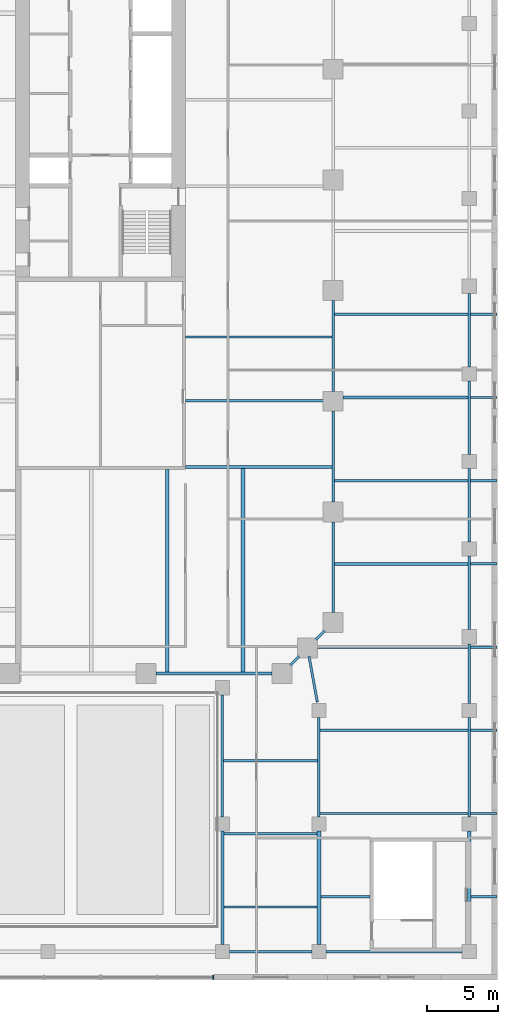
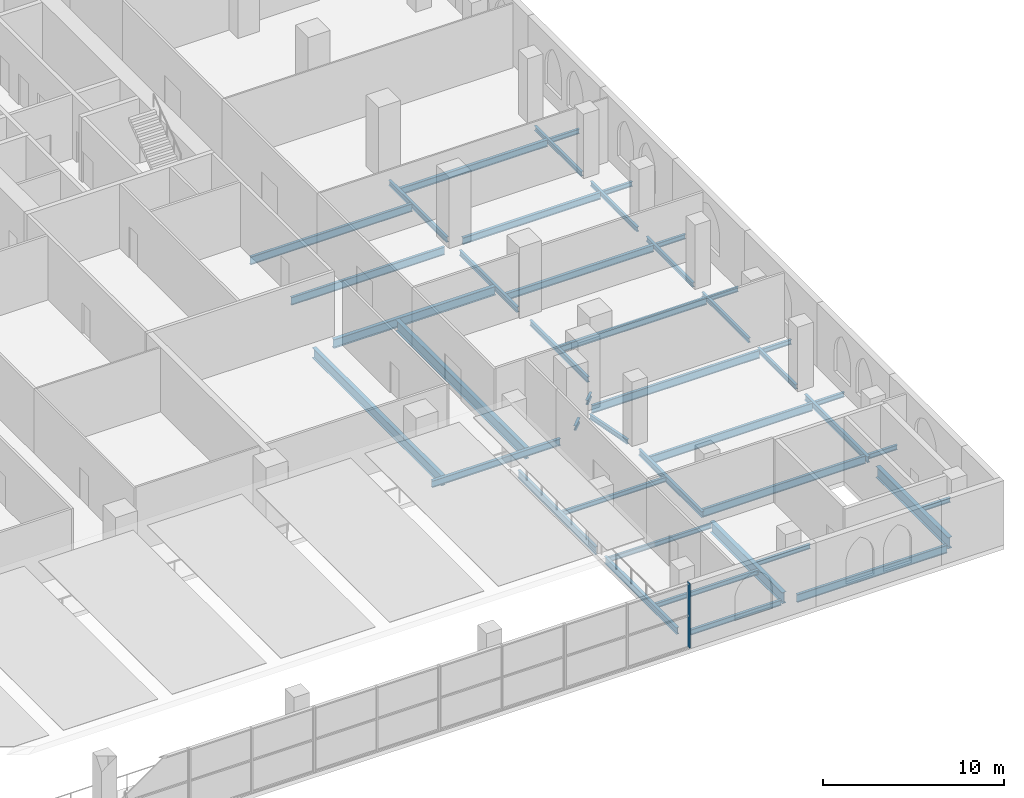
# One storey, part 5 of 18: 44 beams, 1 member, 1 element without a shape of its own.
"""IFC4 building model written with IfcOpenShell, lengths in metres."""

from ifc_helpers import new_model, si_unit, direction, frame, origin, origin_2d, place, context, subcontext, project, spatial, rectangle, i_section, extrude, material, material_profile, profile_set, type_object, element, aggregate, save


model = new_model("IFC4")

# Units and contexts
model_context = context("Model", 3, precision=1e-05, world=origin(), true_north=direction((0.0, 1.0)))
body_context = subcontext(model_context, "Body", "Model", "MODEL_VIEW")
ifc_project = project(units=[si_unit("LENGTHUNIT", "METRE"), si_unit("AREAUNIT", "SQUARE_METRE"), si_unit("VOLUMEUNIT", "CUBIC_METRE"), si_unit("PLANEANGLEUNIT", "RADIAN"), si_unit("MASSUNIT", "GRAM", prefix="KILO")], contexts=[model_context])

# Site, building, storey
site_placement = place(None, origin())
site = spatial("IfcSite", under=ifc_project, at=site_placement, CompositionType="ELEMENT")
building_placement = place(site_placement, origin())
building = spatial("IfcBuilding", under=site, at=building_placement, Name="Ogive Exchange Tower", CompositionType="ELEMENT")
storey_placement = place(building_placement, frame((0.0, 0.0, 28.800048828125)))
storey = spatial("IfcBuildingStorey", under=building, at=storey_placement, Name="L05", CompositionType="ELEMENT", Elevation=28.800048828125)

# Beams
ifc_material_1 = material(Name="Steel ASTM A992 Gr50", Category="steel")
ifc_material_profile_1 = material_profile(ifc_material_1, i_section(OverallWidth=0.1650390625, OverallDepth=0.31005859375, WebThickness=0.005859375, FlangeThickness=0.009765625, at=origin_2d()), Name="W310x38.7")
ifc_profile_set_1 = profile_set([ifc_material_profile_1], Name="Steel ASTM A992 Gr50")
beam_type_1 = type_object("IfcBeamType", Name="Floor beam W310x38.7", PredefinedType="JOIST", material=ifc_profile_set_1)
beam_1_placement = place(storey_placement, frame((31.533447265625, -46.13330078125, -0.455078125), z_axis=(1.0, 0.0, 0.0), x_axis=(0.0, 1.0, 0.0)))
element("IfcBeam", 1, at=beam_1_placement, inside=storey, type_object=beam_type_1, Name="Floor beam", PredefinedType="JOIST", context=body_context, shape_type="SweptSolid", body=[
    extrude(i_section(OverallWidth=0.1650390625, OverallDepth=0.31005859375, WebThickness=0.005859375, FlangeThickness=0.009765625, at=origin_2d()), origin(), (0.0, 0.0, 1.0), 3.466552734375),
])
beam_2_placement = place(storey_placement, frame((42.133544921875, -46.13330078125, -0.455078125), z_axis=(1.0, 0.0, 0.0), x_axis=(0.0, 1.0, 0.0)))
element("IfcBeam", 2, at=beam_2_placement, inside=storey, type_object=beam_type_1, Name="Floor beam", PredefinedType="JOIST", context=body_context, shape_type="SweptSolid", body=[
    extrude(i_section(OverallWidth=0.1650390625, OverallDepth=0.31005859375, WebThickness=0.005859375, FlangeThickness=0.009765625, at=origin_2d()), origin(), (0.0, 0.0, 1.0), 1.81640625),
])
for number, where, z_axis, x_axis, name in (
    (3, (42.089111328125, -40.2666015625, -0.455078125), (1.0, 0.0, 0.0), (0.0, 1.0, 0.0), "Floor beam"),
    (4, (42.089111328125, -34.39990234375, -0.455078125), (1.0, 0.0, 0.0), (0.0, 1.0, 0.0), "Floor beam"),
):
    element("IfcBeam", number, at=place(storey_placement, frame(where, z_axis=z_axis, x_axis=x_axis)), inside=storey, type_object=beam_type_1, Name=name, PredefinedType="JOIST", context=body_context, shape_type="SweptSolid", body=[
        extrude(i_section(OverallWidth=0.1650390625, OverallDepth=0.31005859375, WebThickness=0.005859375, FlangeThickness=0.009765625, at=origin_2d()), origin(), (0.0, 0.0, 1.0), 1.86083984375),
    ])
for number, where, z_axis, x_axis, name in (
    (5, (42.08251953125, -28.533203125, -0.455078125), (1.0, 0.0, 0.0), (0.0, 1.0, 0.0), "Floor beam"),
    (6, (42.08251953125, -22.666748046875, -0.455078125), (1.0, 0.0, 0.0), (0.0, 1.0, 0.0), "Floor beam"),
    (7, (42.08251953125, -16.800048828125, -0.455078125), (1.0, 0.0, 0.0), (0.0, 1.0, 0.0), "Floor beam"),
    (8, (42.08251953125, -10.933349609375, -0.455078125), (1.0, 0.0, 0.0), (0.0, 1.0, 0.0), "Floor beam"),
    (9, (42.08251953125, -5.066650390625, -0.455078125), (1.0, 0.0, 0.0), (0.0, 1.0, 0.0), "Floor beam"),
):
    element("IfcBeam", number, at=place(storey_placement, frame(where, z_axis=z_axis, x_axis=x_axis)), inside=storey, type_object=beam_type_1, Name=name, PredefinedType="JOIST", context=body_context, shape_type="SweptSolid", body=[
        extrude(i_section(OverallWidth=0.1650390625, OverallDepth=0.31005859375, WebThickness=0.005859375, FlangeThickness=0.009765625, at=origin_2d()), origin(), (0.0, 0.0, 1.0), 1.867431640625),
    ])
for number, where, z_axis, x_axis, name in (
    (10, (24.695556640625, -46.85009765625, -0.455078125), (1.0, 0.0, 0.0), (0.0, 1.0, 0.0), "Floor beam"),
    (11, (24.695556640625, -41.699951171875, -0.455078125), (1.0, 0.0, 0.0), (0.0, 1.0, 0.0), "Floor beam"),
):
    element("IfcBeam", number, at=place(storey_placement, frame(where, z_axis=z_axis, x_axis=x_axis)), inside=storey, type_object=beam_type_1, Name=name, PredefinedType="JOIST", context=body_context, shape_type="SweptSolid", body=[
        extrude(i_section(OverallWidth=0.1650390625, OverallDepth=0.31005859375, WebThickness=0.005859375, FlangeThickness=0.009765625, at=origin_2d()), origin(), (0.0, 0.0, 1.0), 6.571044921875),
    ])
beam_3_placement = place(storey_placement, frame((24.68359375, -36.550048828125, -0.455078125), z_axis=(1.0, 0.0, 0.0), x_axis=(0.0, 1.0, 0.0)))
element("IfcBeam", 12, at=beam_3_placement, inside=storey, type_object=beam_type_1, Name="Floor beam", PredefinedType="JOIST", context=body_context, shape_type="SweptSolid", body=[
    extrude(i_section(OverallWidth=0.1650390625, OverallDepth=0.31005859375, WebThickness=0.005859375, FlangeThickness=0.009765625, at=origin_2d()), origin(), (0.0, 0.0, 1.0), 6.62744140625),
])
ifc_material_profile_2 = material_profile(ifc_material_1, i_section(OverallWidth=0.19091796875, OverallDepth=0.45703125, WebThickness=0.009033203125, FlangeThickness=0.014404296875, at=origin_2d()), Name="W460x74")
ifc_profile_set_2 = profile_set([ifc_material_profile_2], Name="Steel ASTM A992 Gr50")
beam_type_2 = type_object("IfcBeamType", Name="Floor beam W460x74", PredefinedType="JOIST", material=ifc_profile_set_2)
for number, where, z_axis, x_axis, name in (
    (13, (32.485595703125, -22.666748046875, -0.528564453125), (1.0, 0.0, 0.0), (0.0, 1.0, 0.0), "Floor beam"),
    (14, (32.485595703125, -16.800048828125, -0.528564453125), (1.0, 0.0, 0.0), (0.0, 1.0, 0.0), "Floor beam"),
):
    element("IfcBeam", number, at=place(storey_placement, frame(where, z_axis=z_axis, x_axis=x_axis)), inside=storey, type_object=beam_type_2, Name=name, PredefinedType="JOIST", context=body_context, shape_type="SweptSolid", body=[
        extrude(i_section(OverallWidth=0.19091796875, OverallDepth=0.45703125, WebThickness=0.009033203125, FlangeThickness=0.014404296875, at=origin_2d()), origin(), (0.0, 0.0, 1.0), 9.431884765625),
    ])
beam_4_placement = place(storey_placement, frame((33.10009765625, -10.933349609375, -0.528564453125), z_axis=(1.0, 0.0, 0.0), x_axis=(0.0, 1.0, 0.0)))
element("IfcBeam", 15, at=beam_4_placement, inside=storey, type_object=beam_type_2, Name="Floor beam", PredefinedType="JOIST", context=body_context, shape_type="SweptSolid", body=[
    extrude(i_section(OverallWidth=0.19091796875, OverallDepth=0.45703125, WebThickness=0.009033203125, FlangeThickness=0.014404296875, at=origin_2d()), origin(), (0.0, 0.0, 1.0), 8.8173828125),
])
beam_5_placement = place(storey_placement, frame((32.485595703125, -5.066650390625, -0.528564453125), z_axis=(1.0, 0.0, 0.0), x_axis=(0.0, 1.0, 0.0)))
element("IfcBeam", 16, at=beam_5_placement, inside=storey, type_object=beam_type_2, Name="Floor beam", PredefinedType="JOIST", context=body_context, shape_type="SweptSolid", body=[
    extrude(i_section(OverallWidth=0.19091796875, OverallDepth=0.45703125, WebThickness=0.009033203125, FlangeThickness=0.014404296875, at=origin_2d()), origin(), (0.0, 0.0, 1.0), 9.431884765625),
])
ifc_material_profile_3 = material_profile(ifc_material_1, i_section(OverallWidth=0.1669921875, OverallDepth=0.535888671875, WebThickness=0.01025390625, FlangeThickness=0.0166015625, at=origin_2d()), Name="W530x85")
ifc_profile_set_3 = profile_set([ifc_material_profile_3], Name="Steel ASTM A992 Gr50")
beam_type_3 = type_object("IfcBeamType", Name="Floor beam W530x85", PredefinedType="JOIST", material=ifc_profile_set_3)
beam_6_placement = place(storey_placement, frame((22.0, -11.17822265625, -0.568115234375), z_axis=(1.0, 0.0, 0.0), x_axis=(0.0, 1.0, 0.0)))
element("IfcBeam", 17, at=beam_6_placement, inside=storey, type_object=beam_type_3, Name="Floor beam", PredefinedType="JOIST", context=body_context, shape_type="SweptSolid", body=[
    extrude(i_section(OverallWidth=0.1669921875, OverallDepth=0.535888671875, WebThickness=0.01025390625, FlangeThickness=0.0166015625, at=origin_2d()), origin(), (0.0, 0.0, 1.0), 9.800048828125),
])
beam_7_placement = place(storey_placement, frame((22.0, -6.666748046875, -0.568115234375), z_axis=(1.0, 0.0, 0.0), x_axis=(0.0, 1.0, 0.0)))
element("IfcBeam", 18, at=beam_7_placement, inside=storey, type_object=beam_type_3, Name="Floor beam", PredefinedType="JOIST", context=body_context, shape_type="SweptSolid", body=[
    extrude(i_section(OverallWidth=0.1669921875, OverallDepth=0.535888671875, WebThickness=0.01025390625, FlangeThickness=0.0166015625, at=origin_2d()), origin(), (0.0, 0.0, 1.0), 10.344970703125),
])
for number, where, z_axis, x_axis, name in (
    (19, (31.489013671875, -40.2666015625, -0.568115234375), (1.0, 0.0, 0.0), (0.0, 1.0, 0.0), "Floor beam"),
    (20, (31.489013671875, -34.39990234375, -0.568115234375), (1.0, 0.0, 0.0), (0.0, 1.0, 0.0), "Floor beam"),
):
    element("IfcBeam", number, at=place(storey_placement, frame(where, z_axis=z_axis, x_axis=x_axis)), inside=storey, type_object=beam_type_3, Name=name, PredefinedType="JOIST", context=body_context, shape_type="SweptSolid", body=[
        extrude(i_section(OverallWidth=0.1669921875, OverallDepth=0.535888671875, WebThickness=0.01025390625, FlangeThickness=0.0166015625, at=origin_2d()), origin(), (0.0, 0.0, 1.0), 10.421875),
    ])
beam_8_placement = place(storey_placement, frame((31.199951171875, -28.533203125, -0.568115234375), z_axis=(1.0, 0.0, 0.0), x_axis=(0.0, 1.0, 0.0)))
element("IfcBeam", 21, at=beam_8_placement, inside=storey, type_object=beam_type_3, Name="Floor beam", PredefinedType="JOIST", context=body_context, shape_type="SweptSolid", body=[
    extrude(i_section(OverallWidth=0.1669921875, OverallDepth=0.535888671875, WebThickness=0.01025390625, FlangeThickness=0.0166015625, at=origin_2d()), origin(), (0.0, 0.0, 1.0), 10.717529296875),
])
ifc_material_profile_4 = material_profile(ifc_material_1, i_section(OverallWidth=0.25390625, OverallDepth=0.68310546875, WebThickness=0.012451171875, FlangeThickness=0.018798828125, at=origin_2d()), Name="W690x140")
ifc_profile_set_4 = profile_set([ifc_material_profile_4], Name="Steel ASTM A992 Gr50")
beam_type_4 = type_object("IfcBeamType", Name="Floor beam W690x140", PredefinedType="JOIST", material=ifc_profile_set_4)
beam_9_placement = place(storey_placement, frame((20.699951171875, -30.304443359375, -0.6416015625), z_axis=(0.0, 1.0, 0.0), x_axis=(-1.0, 0.0, 0.0)))
element("IfcBeam", 22, at=beam_9_placement, inside=storey, type_object=beam_type_4, Name="Floor beam", PredefinedType="JOIST", context=body_context, shape_type="SweptSolid", body=[
    extrude(i_section(OverallWidth=0.25390625, OverallDepth=0.68310546875, WebThickness=0.012451171875, FlangeThickness=0.018798828125, at=origin_2d()), origin(), (0.0, 0.0, 1.0), 14.304443359375),
])
ifc_material_profile_5 = material_profile(ifc_material_1, i_section(OverallWidth=0.26708984375, OverallDepth=0.75390625, WebThickness=0.01318359375, FlangeThickness=0.01708984375, at=origin_2d()), Name="W760x147")
ifc_profile_set_5 = profile_set([ifc_material_profile_5], Name="Steel ASTM A992 Gr50")
beam_type_5 = type_object("IfcBeamType", Name="Floor beam W760x147", PredefinedType="JOIST", material=ifc_profile_set_5)
beam_10_placement = place(storey_placement, frame((26.050048828125, -30.304443359375, -0.677001953125), z_axis=(0.0, 1.0, 0.0), x_axis=(-1.0, 0.0, 0.0)))
element("IfcBeam", 23, at=beam_10_placement, inside=storey, type_object=beam_type_5, Name="Floor beam", PredefinedType="JOIST", context=body_context, shape_type="SweptSolid", body=[
    extrude(i_section(OverallWidth=0.26708984375, OverallDepth=0.75390625, WebThickness=0.01318359375, FlangeThickness=0.01708984375, at=origin_2d()), origin(), (0.0, 0.0, 1.0), 14.345458984375),
])

# Curtain wall, member
ifc_material_2 = material(Name="Anodised aluminium and clear glass", Category="aluminium")
curtain_wall_type = type_object("IfcCurtainWallType", Name="Galleria end wall glazing", PredefinedType="NOTDEFINED", material=ifc_material_2)
curtain_wall_placement = place(storey_placement, origin())
curtain_wall = element("IfcCurtainWall", 24, at=curtain_wall_placement, inside=storey, type_object=curtain_wall_type, Name="Galleria end wall glazing run GE9", PredefinedType="NOTDEFINED")
ifc_material_3 = material(Name="Anodised aluminium", Category="aluminium")
ifc_material_profile_6 = material_profile(ifc_material_3, rectangle(XDim=0.260009765625, YDim=0.080078125, at=origin_2d()), Name="AL 80x260")
ifc_profile_set_6 = profile_set([ifc_material_profile_6], Name="Anodised aluminium")
member_type = type_object("IfcMemberType", Name="Galleria end wall glazing mullion 80 x 260", PredefinedType="MULLION", material=ifc_profile_set_6)
member_placement = place(storey_placement, frame((23.9599609375, -51.800048828125, 0.0), z_axis=(0.0, 0.0, 1.0), x_axis=(0.0, 1.0, 0.0)))
member = element("IfcMember", 25, at=member_placement, type_object=member_type, Name="GE9 mullion 3", PredefinedType="MULLION", context=body_context, shape_type="SweptSolid", body=[
    extrude(rectangle(XDim=0.260009765625, YDim=0.080078125, at=origin_2d()), origin(), (0.0, 0.0, 1.0), 4.349853515625),
])
aggregate(curtain_wall, [member])

# Beams
ifc_material_profile_7 = material_profile(ifc_material_1, i_section(OverallWidth=0.1650390625, OverallDepth=0.31005859375, WebThickness=0.005859375, FlangeThickness=0.009765625, at=origin_2d()), Name="W310x38.7")
ifc_profile_set_7 = profile_set([ifc_material_profile_7], Name="Steel ASTM A992 Gr50")
beam_type_6 = type_object("IfcBeamType", Name="Girder W310x38.7", PredefinedType="BEAM", material=ifc_profile_set_7)
for number, where, z_axis, x_axis, name in (
    (26, (29.39404296875, -29.805908203125, -0.455078125), (0.707247821729, 0.706965712506, 0.0), (-0.706965712506, 0.707247821729, 0.0), "Girder"),
    (27, (31.194091796875, -28.006103515625, -0.455078125), (0.706965712506, 0.707247821729, 0.0), (-0.707247821729, 0.706965712506, 0.0), "Girder"),
):
    element("IfcBeam", number, at=place(storey_placement, frame(where, z_axis=z_axis, x_axis=x_axis)), inside=storey, type_object=beam_type_6, Name=name, PredefinedType="BEAM", context=body_context, shape_type="SweptSolid", body=[
        extrude(i_section(OverallWidth=0.1650390625, OverallDepth=0.31005859375, WebThickness=0.005859375, FlangeThickness=0.009765625, at=origin_2d()), origin(), (0.0, 0.0, 1.0), 0.865478515625),
    ])
beam_11_placement = place(storey_placement, frame((31.292724609375, -32.40966796875, -0.455078125), z_axis=(-0.178911700404, 0.983865134792, 0.0), x_axis=(-0.983865134792, -0.178911700404, 0.0)))
element("IfcBeam", 28, at=beam_11_placement, inside=storey, type_object=beam_type_6, Name="Girder", PredefinedType="BEAM", context=body_context, shape_type="SweptSolid", body=[
    extrude(i_section(OverallWidth=0.1650390625, OverallDepth=0.31005859375, WebThickness=0.005859375, FlangeThickness=0.009765625, at=origin_2d()), origin(), (0.0, 0.0, 1.0), 3.272216796875),
])
beam_12_placement = place(storey_placement, frame((42.0, -32.5, -0.455078125), z_axis=(0.0, 1.0, 0.0), x_axis=(-1.0, 0.0, 0.0)))
element("IfcBeam", 29, at=beam_12_placement, inside=storey, type_object=beam_type_6, Name="Girder", PredefinedType="BEAM", context=body_context, shape_type="SweptSolid", body=[
    extrude(i_section(OverallWidth=0.1650390625, OverallDepth=0.31005859375, WebThickness=0.005859375, FlangeThickness=0.009765625, at=origin_2d()), origin(), (0.0, 0.0, 1.0), 4.199951171875),
])
beam_13_placement = place(storey_placement, frame((42.0, -27.300048828125, -0.455078125), z_axis=(0.0, 1.0, 0.0), x_axis=(-1.0, 0.0, 0.0)))
element("IfcBeam", 30, at=beam_13_placement, inside=storey, type_object=beam_type_6, Name="Girder", PredefinedType="BEAM", context=body_context, shape_type="SweptSolid", body=[
    extrude(i_section(OverallWidth=0.1650390625, OverallDepth=0.31005859375, WebThickness=0.005859375, FlangeThickness=0.009765625, at=origin_2d()), origin(), (0.0, 0.0, 1.0), 5.179931640625),
])
beam_14_placement = place(storey_placement, frame((42.0, -21.1201171875, -0.455078125), z_axis=(0.0, 1.0, 0.0), x_axis=(-1.0, 0.0, 0.0)))
element("IfcBeam", 31, at=beam_14_placement, inside=storey, type_object=beam_type_6, Name="Girder", PredefinedType="BEAM", context=body_context, shape_type="SweptSolid", body=[
    extrude(i_section(OverallWidth=0.1650390625, OverallDepth=0.31005859375, WebThickness=0.005859375, FlangeThickness=0.009765625, at=origin_2d()), origin(), (0.0, 0.0, 1.0), 5.18017578125),
])
beam_15_placement = place(storey_placement, frame((42.0, -14.93994140625, -0.455078125), z_axis=(0.0, 1.0, 0.0), x_axis=(-1.0, 0.0, 0.0)))
element("IfcBeam", 32, at=beam_15_placement, inside=storey, type_object=beam_type_6, Name="Girder", PredefinedType="BEAM", context=body_context, shape_type="SweptSolid", body=[
    extrude(i_section(OverallWidth=0.1650390625, OverallDepth=0.31005859375, WebThickness=0.005859375, FlangeThickness=0.009765625, at=origin_2d()), origin(), (0.0, 0.0, 1.0), 5.169921875),
])
beam_16_placement = place(storey_placement, frame((42.0, -8.77001953125, -0.455078125), z_axis=(0.0, 1.0, 0.0), x_axis=(-1.0, 0.0, 0.0)))
element("IfcBeam", 33, at=beam_16_placement, inside=storey, type_object=beam_type_6, Name="Girder", PredefinedType="BEAM", context=body_context, shape_type="SweptSolid", body=[
    extrude(i_section(OverallWidth=0.1650390625, OverallDepth=0.31005859375, WebThickness=0.005859375, FlangeThickness=0.009765625, at=origin_2d()), origin(), (0.0, 0.0, 1.0), 5.179931640625),
])
ifc_material_profile_8 = material_profile(ifc_material_1, i_section(OverallWidth=0.1708984375, OverallDepth=0.35595703125, WebThickness=0.00732421875, FlangeThickness=0.01171875, at=origin_2d()), Name="W360x51")
ifc_profile_set_8 = profile_set([ifc_material_profile_8], Name="Steel ASTM A992 Gr50")
beam_type_7 = type_object("IfcBeamType", Name="Girder W360x51", PredefinedType="BEAM", material=ifc_profile_set_8)
for number, where, z_axis, x_axis, name in (
    (34, (32.39990234375, -26.10009765625, -0.47802734375), (0.0, 1.0, 0.0), (-1.0, 0.0, 0.0), "Girder"),
    (35, (32.39990234375, -18.300048828125, -0.47802734375), (0.0, 1.0, 0.0), (-1.0, 0.0, 0.0), "Girder"),
):
    element("IfcBeam", number, at=place(storey_placement, frame(where, z_axis=z_axis, x_axis=x_axis)), inside=storey, type_object=beam_type_7, Name=name, PredefinedType="BEAM", context=body_context, shape_type="SweptSolid", body=[
        extrude(i_section(OverallWidth=0.1708984375, OverallDepth=0.35595703125, WebThickness=0.00732421875, FlangeThickness=0.01171875, at=origin_2d()), origin(), (0.0, 0.0, 1.0), 6.400146484375),
    ])
beam_17_placement = place(storey_placement, frame((32.39990234375, -10.5, -0.47802734375), z_axis=(0.0, 1.0, 0.0), x_axis=(-1.0, 0.0, 0.0)))
element("IfcBeam", 36, at=beam_17_placement, inside=storey, type_object=beam_type_7, Name="Girder", PredefinedType="BEAM", context=body_context, shape_type="SweptSolid", body=[
    extrude(i_section(OverallWidth=0.1708984375, OverallDepth=0.35595703125, WebThickness=0.00732421875, FlangeThickness=0.01171875, at=origin_2d()), origin(), (0.0, 0.0, 1.0), 6.39990234375),
])
beam_18_placement = place(storey_placement, frame((25.10009765625, -50.0, -0.47802734375), z_axis=(1.0, 0.0, 0.0), x_axis=(0.0, 1.0, 0.0)))
element("IfcBeam", 37, at=beam_18_placement, inside=storey, type_object=beam_type_7, Name="Girder", PredefinedType="BEAM", context=body_context, shape_type="SweptSolid", body=[
    extrude(i_section(OverallWidth=0.1708984375, OverallDepth=0.35595703125, WebThickness=0.00732421875, FlangeThickness=0.01171875, at=origin_2d()), origin(), (0.0, 0.0, 1.0), 5.7998046875),
])
ifc_material_profile_9 = material_profile(ifc_material_1, i_section(OverallWidth=0.177978515625, OverallDepth=0.406005859375, WebThickness=0.0078125, FlangeThickness=0.0126953125, at=origin_2d()), Name="W410x60")
ifc_profile_set_9 = profile_set([ifc_material_profile_9], Name="Steel ASTM A992 Gr50")
beam_type_8 = type_object("IfcBeamType", Name="Girder W410x60", PredefinedType="BEAM", material=ifc_profile_set_9)
for number, where, z_axis, x_axis, name in (
    (38, (31.39990234375, -40.5, -0.5029296875), (0.0, 1.0, 0.0), (-1.0, 0.0, 0.0), "Girder"),
    (39, (42.0, -40.5, -0.5029296875), (0.0, 1.0, 0.0), (-1.0, 0.0, 0.0), "Girder"),
):
    element("IfcBeam", number, at=place(storey_placement, frame(where, z_axis=z_axis, x_axis=x_axis)), inside=storey, type_object=beam_type_8, Name=name, PredefinedType="BEAM", context=body_context, shape_type="SweptSolid", body=[
        extrude(i_section(OverallWidth=0.177978515625, OverallDepth=0.406005859375, WebThickness=0.0078125, FlangeThickness=0.0126953125, at=origin_2d()), origin(), (0.0, 0.0, 1.0), 7.0),
    ])
ifc_material_profile_10 = material_profile(ifc_material_1, i_section(OverallWidth=0.19091796875, OverallDepth=0.45703125, WebThickness=0.009033203125, FlangeThickness=0.014404296875, at=origin_2d()), Name="W460x74")
ifc_profile_set_10 = profile_set([ifc_material_profile_10], Name="Steel ASTM A992 Gr50")
beam_type_9 = type_object("IfcBeamType", Name="Girder W460x74", PredefinedType="BEAM", material=ifc_profile_set_10)
beam_19_placement = place(storey_placement, frame((19.89990234375, -30.39990234375, -0.528564453125), z_axis=(1.0, 0.0, 0.0), x_axis=(0.0, 1.0, 0.0)))
element("IfcBeam", 40, at=beam_19_placement, inside=storey, type_object=beam_type_9, Name="Girder", PredefinedType="BEAM", context=body_context, shape_type="SweptSolid", body=[
    extrude(i_section(OverallWidth=0.19091796875, OverallDepth=0.45703125, WebThickness=0.009033203125, FlangeThickness=0.014404296875, at=origin_2d()), origin(), (0.0, 0.0, 1.0), 8.2001953125),
])
beam_20_placement = place(storey_placement, frame((24.60009765625, -49.5, -0.528564453125), z_axis=(0.0, 1.0, 0.0), x_axis=(-1.0, 0.0, 0.0)))
element("IfcBeam", 41, at=beam_20_placement, inside=storey, type_object=beam_type_9, Name="Girder", PredefinedType="BEAM", context=body_context, shape_type="SweptSolid", body=[
    extrude(i_section(OverallWidth=0.19091796875, OverallDepth=0.45703125, WebThickness=0.009033203125, FlangeThickness=0.014404296875, at=origin_2d()), origin(), (0.0, 0.0, 1.0), 8.0),
])
ifc_material_profile_11 = material_profile(ifc_material_1, i_section(OverallWidth=0.1669921875, OverallDepth=0.535888671875, WebThickness=0.01025390625, FlangeThickness=0.0166015625, at=origin_2d()), Name="W530x85")
ifc_profile_set_11 = profile_set([ifc_material_profile_11], Name="Steel ASTM A992 Gr50")
beam_type_10 = type_object("IfcBeamType", Name="Girder W530x85", PredefinedType="BEAM", material=ifc_profile_set_11)
beam_21_placement = place(storey_placement, frame((24.60009765625, -40.5, -0.568115234375), z_axis=(0.0, 1.0, 0.0), x_axis=(-1.0, 0.0, 0.0)))
element("IfcBeam", 42, at=beam_21_placement, inside=storey, type_object=beam_type_10, Name="Girder", PredefinedType="BEAM", context=body_context, shape_type="SweptSolid", body=[
    extrude(i_section(OverallWidth=0.1669921875, OverallDepth=0.535888671875, WebThickness=0.01025390625, FlangeThickness=0.0166015625, at=origin_2d()), origin(), (0.0, 0.0, 1.0), 8.60009765625),
])
beam_22_placement = place(storey_placement, frame((31.89990234375, -50.0, -0.568115234375), z_axis=(1.0, 0.0, 0.0), x_axis=(0.0, 1.0, 0.0)))
element("IfcBeam", 43, at=beam_22_placement, inside=storey, type_object=beam_type_10, Name="Girder", PredefinedType="BEAM", context=body_context, shape_type="SweptSolid", body=[
    extrude(i_section(OverallWidth=0.1669921875, OverallDepth=0.535888671875, WebThickness=0.01025390625, FlangeThickness=0.0166015625, at=origin_2d()), origin(), (0.0, 0.0, 1.0), 9.60009765625),
])
ifc_material_profile_12 = material_profile(ifc_material_1, i_section(OverallWidth=0.22802734375, OverallDepth=0.60205078125, WebThickness=0.010498046875, FlangeThickness=0.014892578125, at=origin_2d()), Name="W610x101")
ifc_profile_set_12 = profile_set([ifc_material_profile_12], Name="Steel ASTM A992 Gr50")
beam_type_11 = type_object("IfcBeamType", Name="Girder W610x101", PredefinedType="BEAM", material=ifc_profile_set_12)
beam_23_placement = place(storey_placement, frame((22.0, -15.844970703125, -0.60107421875), z_axis=(1.0, 0.0, 0.0), x_axis=(0.0, 1.0, 0.0)))
element("IfcBeam", 44, at=beam_23_placement, inside=storey, type_object=beam_type_11, Name="Header girder", PredefinedType="BEAM", context=body_context, shape_type="SweptSolid", body=[
    extrude(i_section(OverallWidth=0.22802734375, OverallDepth=0.60205078125, WebThickness=0.010498046875, FlangeThickness=0.014892578125, at=origin_2d()), origin(), (0.0, 0.0, 1.0), 10.344970703125),
])
ifc_material_profile_13 = material_profile(ifc_material_1, i_section(OverallWidth=0.26708984375, OverallDepth=0.75390625, WebThickness=0.01318359375, FlangeThickness=0.01708984375, at=origin_2d()), Name="W760x147")
ifc_profile_set_13 = profile_set([ifc_material_profile_13], Name="Steel ASTM A992 Gr50")
beam_type_12 = type_object("IfcBeamType", Name="Girder W760x147", PredefinedType="BEAM", material=ifc_profile_set_13)
for number, where, z_axis, x_axis, name in (
    (45, (31.39990234375, -49.5, -0.677001953125), (0.0, 1.0, 0.0), (-1.0, 0.0, 0.0), "Girder"),
    (46, (42.0, -49.5, -0.677001953125), (0.0, 1.0, 0.0), (-1.0, 0.0, 0.0), "Girder"),
):
    element("IfcBeam", number, at=place(storey_placement, frame(where, z_axis=z_axis, x_axis=x_axis)), inside=storey, type_object=beam_type_12, Name=name, PredefinedType="BEAM", context=body_context, shape_type="SweptSolid", body=[
        extrude(i_section(OverallWidth=0.26708984375, OverallDepth=0.75390625, WebThickness=0.01318359375, FlangeThickness=0.01708984375, at=origin_2d()), origin(), (0.0, 0.0, 1.0), 8.0),
    ])

save(model, "model.ifc")
